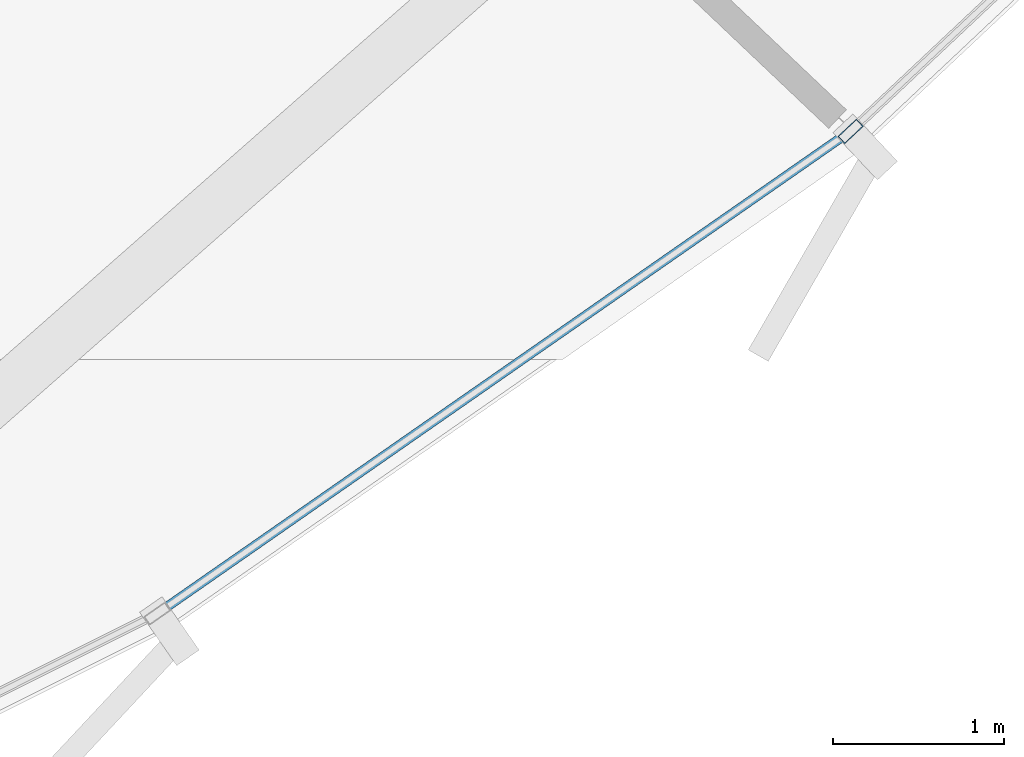
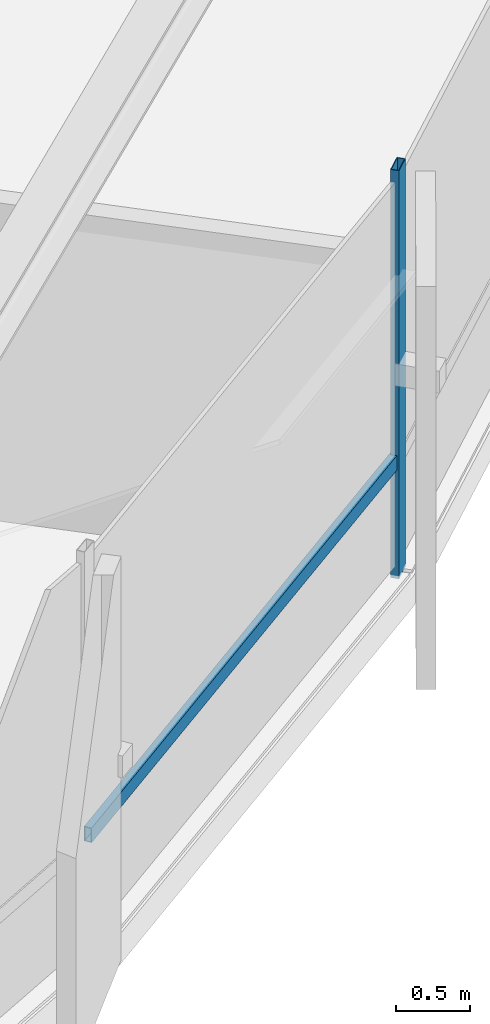
# One storey, part 12 of 34: 2 members, 1 element without a shape of its own.
"""IFC4 building model written with IfcOpenShell, lengths in metres."""

import ifcopenshell
import ifcopenshell.guid

model = None  # the IFC model being written
_history = None  # IfcOwnerHistory: only IFC2X3 demands one
_inside = {}  # id of a spatial element -> (the spatial element, [elements in it])
_under = {}  # id of a project, library or spatial element -> (it, [spatial elements below it])
_declared = {}  # id of a project -> (the project, [libraries it declares])
_typed = {}  # id of a type object -> (the type object, [elements of that type])
_made_of = {}  # id of a material, layer set ... -> (it, [elements and type objects made of it])


def new_model(schema):
    """Start an empty IFC model of exactly this schema.

    Asked for "IFC4X3", IfcOpenShell would pick the latest addendum, in which some entities
    have other attributes; the version numbers below select the first issue.
    IFC2X3 requires an IfcOwnerHistory on every rooted entity: one is made here for all.
    """
    global model, _history
    if schema == "IFC4X3":
        model = ifcopenshell.file(schema_version=(4, 3, 0, 0))
    else:
        model = ifcopenshell.file(schema=schema)
    _inside.clear()
    _under.clear()
    _declared.clear()
    _typed.clear()
    _made_of.clear()
    _history = None
    if model.schema == "IFC2X3":
        org = make("IfcOrganization", Name="unknown")
        user = make(
            "IfcPersonAndOrganization",
            ThePerson=make("IfcPerson", FamilyName="unknown"),
            TheOrganization=org,
        )
        app = make(
            "IfcApplication",
            ApplicationDeveloper=org,
            Version="unknown",
            ApplicationFullName="unknown",
            ApplicationIdentifier="unknown",
        )
        _history = make(
            "IfcOwnerHistory",
            OwningUser=user,
            OwningApplication=app,
            ChangeAction="ADDED",
            CreationDate=0,
        )
    return model


def make(cls, **values):
    """One entity of the class cls with the attributes given. An attribute that is None is left unset."""
    return model.create_entity(
        cls, **{name: value for name, value in values.items() if value is not None}
    )


def rooted(cls, **values):
    """An entity with a GlobalId (a new one), such as an element, a storey or a relation."""
    return make(cls, GlobalId=ifcopenshell.guid.new(), OwnerHistory=_history, **values)


def si_unit(unit_type, name, prefix=None):
    """IfcSIUnit, for example si_unit("LENGTHUNIT", "METRE", prefix="MILLI")."""
    return make("IfcSIUnit", UnitType=unit_type, Prefix=prefix, Name=name)


def assignment(units):
    """IfcUnitAssignment: the units of a project."""
    return None if units is None else make("IfcUnitAssignment", Units=units)


def point(xyz):
    """IfcCartesianPoint."""
    return None if xyz is None else make("IfcCartesianPoint", Coordinates=xyz)


def direction(xyz):
    """IfcDirection."""
    return None if xyz is None else make("IfcDirection", DirectionRatios=xyz)


def frame(location, z_axis=None, x_axis=None):
    """IfcAxis2Placement3D, a coordinate frame: its origin and axes. An axis left out is left unset."""
    return make(
        "IfcAxis2Placement3D",
        Location=point(location),
        Axis=direction(z_axis),
        RefDirection=direction(x_axis),
    )


def frame_2d(location, x_axis=None):
    """IfcAxis2Placement2D, a coordinate frame in the plane: its origin and x axis."""
    return make(
        "IfcAxis2Placement2D", Location=point(location), RefDirection=direction(x_axis)
    )


def origin():
    """The frame at (0, 0, 0) with its axes left unset."""
    return frame((0.0, 0.0, 0.0))


def origin_2d():
    """The frame at (0, 0) in the plane with its x axis left unset."""
    return frame_2d((0.0, 0.0))


def place(relative_to, where):
    """IfcLocalPlacement: puts the frame where relative to a parent placement (None: the world)."""
    return make(
        "IfcLocalPlacement", PlacementRelTo=relative_to, RelativePlacement=where
    )


def context(
    kind, dimensions, precision=None, world=None, true_north=None, identifier=None
):
    """IfcGeometricRepresentationContext, for example the 3D "Model" context."""
    return make(
        "IfcGeometricRepresentationContext",
        ContextIdentifier=identifier,
        ContextType=kind,
        CoordinateSpaceDimension=dimensions,
        Precision=precision,
        WorldCoordinateSystem=world,
        TrueNorth=true_north,
    )


def subcontext(parent, identifier, kind, view, scale=None):
    """IfcGeometricRepresentationSubContext, for example "Body" below "Model"."""
    return make(
        "IfcGeometricRepresentationSubContext",
        ContextIdentifier=identifier,
        ContextType=kind,
        ParentContext=parent,
        TargetScale=scale,
        TargetView=view,
    )


def project(units=None, contexts=None):
    """IfcProject with its units and contexts."""
    return rooted(
        "IfcProject",
        Name="project",
        RepresentationContexts=contexts,
        UnitsInContext=assignment(units),
    )


def spatial(cls, under=None, at=None, **own):
    """A site, building, storey or space (cls), placed at a placement, below another one or the project."""
    s = rooted(cls, ObjectPlacement=at, **own)
    if under is not None:
        _under.setdefault(under.id(), (under, []))[1].append(s)
    return s


def profile(cls, at=None, kind="AREA", **sizes):
    """A parametric profile (cls). Its sizes go by their IFC names, for example OverallWidth=200.0."""
    return make(cls, ProfileType=kind, Position=at, **sizes)


def hollow_rectangle(**sizes):
    """IfcRectangleHollowProfileDef."""
    return profile("IfcRectangleHollowProfileDef", **sizes)


def extrude(swept, where, along, depth):
    """IfcExtrudedAreaSolid: the profile swept, set in the frame where, extruded along a direction by depth."""
    return make(
        "IfcExtrudedAreaSolid",
        SweptArea=swept,
        Position=where,
        ExtrudedDirection=direction(along),
        Depth=depth,
    )


def shape(context_of_items, identifier, shape_type, items):
    """IfcShapeRepresentation: the items that make up one representation, for example the "Body"."""
    return make(
        "IfcShapeRepresentation",
        ContextOfItems=context_of_items,
        RepresentationIdentifier=identifier,
        RepresentationType=shape_type,
        Items=items,
    )


def source(mapping_origin, context_of_items, identifier, shape_type, items):
    """IfcRepresentationMap: a shape defined once, which mapped items show again and again."""
    return make(
        "IfcRepresentationMap",
        MappingOrigin=mapping_origin,
        MappedRepresentation=shape(context_of_items, identifier, shape_type, items),
    )


def transform(
    local_origin,
    x_axis=None,
    y_axis=None,
    z_axis=None,
    scale=None,
    scale2=None,
    scale3=None,
    uniform=True,
):
    """IfcCartesianTransformationOperator3D, or its non-uniform kind. x_axis, y_axis, z_axis: its Axis1, 2, 3."""
    if uniform:
        return make(
            "IfcCartesianTransformationOperator3D",
            Axis1=direction(x_axis),
            Axis2=direction(y_axis),
            LocalOrigin=point(local_origin),
            Scale=scale,
            Axis3=direction(z_axis),
        )
    return make(
        "IfcCartesianTransformationOperator3DnonUniform",
        Axis1=direction(x_axis),
        Axis2=direction(y_axis),
        LocalOrigin=point(local_origin),
        Scale=scale,
        Axis3=direction(z_axis),
        Scale2=scale2,
        Scale3=scale3,
    )


def mapped(mapping_source, mapping_target):
    """IfcMappedItem: shows the shape of a source again, moved by a transform."""
    return make(
        "IfcMappedItem", MappingSource=mapping_source, MappingTarget=mapping_target
    )


def material(Name=None, Category=None):
    """IfcMaterial."""
    return make("IfcMaterial", Name=Name, Category=Category)


def layer(
    of_material, thickness, ventilated=None, Name=None, Category=None, Priority=None
):
    """IfcMaterialLayer: one layer of a wall or slab, of a material (None: an air gap)."""
    return make(
        "IfcMaterialLayer",
        Material=of_material,
        LayerThickness=thickness,
        IsVentilated=ventilated,
        Name=Name,
        Category=Category,
        Priority=Priority,
    )


def layer_set(layers, Name=None):
    """IfcMaterialLayerSet."""
    return make("IfcMaterialLayerSet", MaterialLayers=layers, LayerSetName=Name)


def material_profile(
    of_material, cross_section, Name=None, Category=None, Priority=None
):
    """IfcMaterialProfile: a cross section and its material."""
    return make(
        "IfcMaterialProfile",
        Name=Name,
        Material=of_material,
        Profile=cross_section,
        Priority=Priority,
        Category=Category,
    )


def profile_set(profiles, Name=None, composite=None):
    """IfcMaterialProfileSet."""
    return make(
        "IfcMaterialProfileSet",
        Name=Name,
        MaterialProfiles=profiles,
        CompositeProfile=composite,
    )


def made_of(thing, what):
    """Note that an element or type object is made of a material, layer set ...; save() writes the relation."""
    if what is not None:
        _made_of.setdefault(what.id(), (what, []))[1].append(thing)
    return thing


def type_object(cls, material=None, **own):
    """A type object (cls), such as IfcWallType, which elements share."""
    return made_of(rooted(cls, **own), material)


def element(
    cls,
    number,
    at=None,
    inside=None,
    cuts=None,
    type_object=None,
    material=None,
    context=None,
    identifier="Body",
    shape_type=None,
    held_by="IfcProductDefinitionShape",
    body=None,
    shapes=None,
    **own,
):
    """One element of the class cls, such as IfcWall. Its Tag is "e" and its number.

    at: its placement. inside: the storey or other place that contains it. cuts: it is an
    opening in that element (IfcRelVoidsElement). A single representation is given by context,
    identifier, shape_type and body (its items); several are given by shapes. held_by: the class
    of the entity that holds the representations. save() writes the other relations.
    """
    e = rooted(cls, Tag="e%d" % number, ObjectPlacement=at, **own)
    if body is not None:
        shapes = [shape(context, identifier, shape_type, body)]
    if shapes is not None:
        e.Representation = make(held_by, Representations=shapes)
    if inside is not None:
        _inside.setdefault(inside.id(), (inside, []))[1].append(e)
    if cuts is not None:
        rooted(
            "IfcRelVoidsElement", RelatingBuildingElement=cuts, RelatedOpeningElement=e
        )
    if type_object is not None:
        _typed.setdefault(type_object.id(), (type_object, []))[1].append(e)
    return made_of(e, material)


def aggregate(whole, parts):
    """IfcRelAggregates: a whole, such as a stair, and the parts it consists of."""
    return rooted("IfcRelAggregates", RelatingObject=whole, RelatedObjects=parts)


def save(model, path):
    """Write the relations noted so far, then the file.

    IfcRelAggregates (storeys below a building ...), IfcRelContainedInSpatialStructure (elements
    in a storey), IfcRelDefinesByType, IfcRelAssociatesMaterial and IfcRelDeclares: one each for
    every whole, place, type object, material and project.
    """
    for whole, parts in _under.values():
        aggregate(whole, parts)
    for where, things in _inside.values():
        rooted(
            "IfcRelContainedInSpatialStructure",
            RelatedElements=things,
            RelatingStructure=where,
        )
    for kind, things in _typed.values():
        rooted("IfcRelDefinesByType", RelatedObjects=things, RelatingType=kind)
    for what, things in _made_of.values():
        rooted("IfcRelAssociatesMaterial", RelatedObjects=things, RelatingMaterial=what)
    for by, libraries in _declared.values():
        rooted("IfcRelDeclares", RelatingContext=by, RelatedDefinitions=libraries)
    model.write(path)


model = new_model("IFC4")

# Units and contexts
model_context = context("Model", 3, precision=1e-05, world=origin(), true_north=direction((0.0, 1.0)))
body_context = subcontext(model_context, "Body", "Model", "MODEL_VIEW")
ifc_project = project(units=[si_unit("LENGTHUNIT", "METRE"), si_unit("AREAUNIT", "SQUARE_METRE"), si_unit("VOLUMEUNIT", "CUBIC_METRE"), si_unit("PLANEANGLEUNIT", "RADIAN"), si_unit("MASSUNIT", "GRAM", prefix="KILO"), si_unit("THERMODYNAMICTEMPERATUREUNIT", "KELVIN")], contexts=[model_context])

# Site, building, storey
site_placement = place(None, origin())
site = spatial("IfcSite", under=ifc_project, at=site_placement, CompositionType="ELEMENT")
building_placement = place(site_placement, origin())
building = spatial("IfcBuilding", under=site, at=building_placement, Name="Kethvar Cultural Tower", CompositionType="ELEMENT")
storey_placement = place(building_placement, frame((0.0, 0.0, 125.199951171875)))
storey = spatial("IfcBuildingStorey", under=building, at=storey_placement, Name="L31", CompositionType="ELEMENT", Elevation=125.199951171875)

# Curtain wall, members
ifc_material = material(Name="Aluminium 6063-T6", Category="aluminium")
ifc_layer = layer(ifc_material, 0.179931640625, Name="Aluminium 6063-T6", Category="aluminium")
ifc_layer_set = layer_set([ifc_layer], Name="Aluminium 6063-T6 (180 mm)")
curtain_wall_type = type_object("IfcCurtainWallType", Name="CW-SYS-03-Z2", PredefinedType="NOTDEFINED", material=ifc_layer_set)
curtain_wall_placement = place(storey_placement, origin())
curtain_wall = element("IfcCurtainWall", 1, at=curtain_wall_placement, inside=storey, type_object=curtain_wall_type, Name="L31 Curtain Wall Run 05", PredefinedType="NOTDEFINED")
ifc_material_profile_1 = material_profile(ifc_material, hollow_rectangle(XDim=0.06005859375, YDim=0.14990234375, WallThickness=0.0048828125, at=origin_2d()), Name="Aluminium 6063-T6 — RHS150x60x5")
ifc_profile_set_1 = profile_set([ifc_material_profile_1], Name="Aluminium 6063-T6 — RHS150x60x5")
member_type_1 = type_object("IfcMemberType", Name="CW-SYS-03-Z2-MUL", PredefinedType="MULLION", material=ifc_profile_set_1)
shared_shape_1 = source(origin(), body_context, "Body", "SweptSolid", [
    extrude(hollow_rectangle(XDim=0.06005859375, YDim=0.14990234375, WallThickness=0.0048828125, at=origin_2d()), origin(), (0.0, 0.0, 1.0), 3.35009765625),
])
member_1_placement = place(storey_placement, frame((64.2353515625, 11.263427734375, 0.0), z_axis=(0.0, 0.0, 1.0), x_axis=(-0.685043140512, 0.728502502149, 0.0)))
member_1 = element("IfcMember", 2, at=member_1_placement, type_object=member_type_1, Name="CW-L31-R05 Mullion 6", PredefinedType="MULLION", context=body_context, shape_type="MappedRepresentation", body=[
    mapped(shared_shape_1, transform((0.0, 0.0, 0.0), scale=1.0)),
])
ifc_material_profile_2 = material_profile(ifc_material, hollow_rectangle(XDim=0.054931640625, YDim=0.1201171875, WallThickness=0.00390625, at=origin_2d()), Name="Aluminium 6063-T6 — RHS120x55x4")
ifc_profile_set_2 = profile_set([ifc_material_profile_2], Name="Aluminium 6063-T6 — RHS120x55x4")
member_type_2 = type_object("IfcMemberType", Name="CW-SYS-03-Z2-TRN", PredefinedType="USERDEFINED", material=ifc_profile_set_2)
shared_shape_2 = source(origin(), body_context, "Body", "SweptSolid", [
    extrude(hollow_rectangle(XDim=0.054931640625, YDim=0.1201171875, WallThickness=0.00390625, at=origin_2d()), origin(), (0.0, 0.0, 1.0), 4.871337890625),
])
member_2_placement = place(storey_placement, frame((60.21435546875, 8.467041015625, 0.949951171875), z_axis=(0.820820408388, 0.571186359409, 0.0), x_axis=(-0.571186359409, 0.820820408388, 0.0)))
member_2 = element("IfcMember", 3, at=member_2_placement, type_object=member_type_2, Name="CW-L31-R05 Transom 5", ObjectType="TRANSOM", PredefinedType="USERDEFINED", context=body_context, shape_type="MappedRepresentation", body=[
    mapped(shared_shape_2, transform((0.0, 0.0, 0.0), scale=1.0)),
])
aggregate(curtain_wall, [member_1, member_2])

save(model, "model.ifc")
